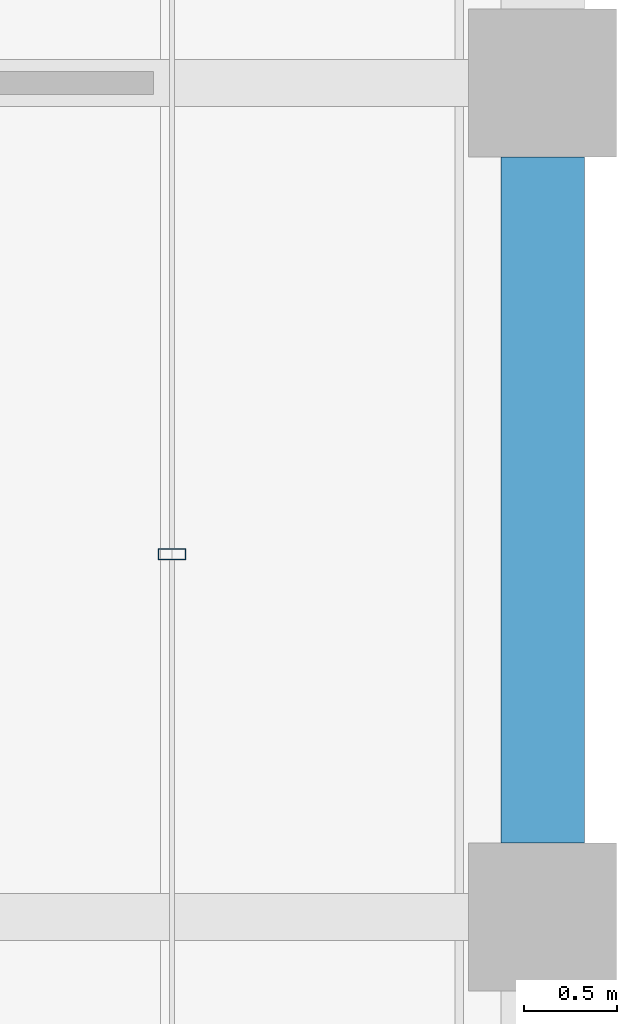
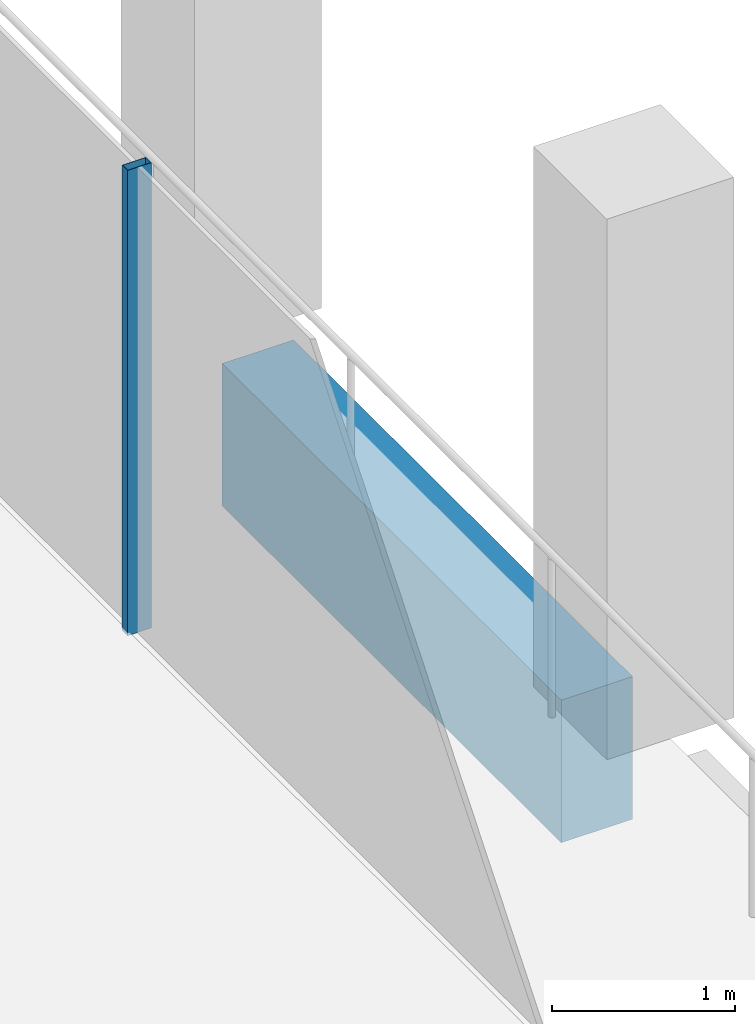
# One storey, part 17 of 30: 1 beam, 1 member, 1 element without a shape of its own.
"""IFC4 building model written with IfcOpenShell, lengths in metres."""

from ifc_helpers import new_model, si_unit, direction, frame, origin, origin_2d, place, context, subcontext, project, spatial, rectangle, hollow_rectangle, extrude, material, material_profile, profile_set, type_object, element, aggregate, save


model = new_model("IFC4")

# Units and contexts
model_context = context("Model", 3, precision=1e-05, world=origin(), true_north=direction((0.0, 1.0)))
body_context = subcontext(model_context, "Body", "Model", "MODEL_VIEW")
ifc_project = project(units=[si_unit("LENGTHUNIT", "METRE"), si_unit("AREAUNIT", "SQUARE_METRE"), si_unit("VOLUMEUNIT", "CUBIC_METRE"), si_unit("PLANEANGLEUNIT", "RADIAN"), si_unit("MASSUNIT", "GRAM", prefix="KILO")], contexts=[model_context])

# Site, building, storey
site_placement = place(None, origin())
site = spatial("IfcSite", under=ifc_project, at=site_placement, CompositionType="ELEMENT")
building_placement = place(site_placement, origin())
building = spatial("IfcBuilding", under=site, at=building_placement, Name="Altepetl Exchange Towers", CompositionType="ELEMENT")
storey_placement = place(building_placement, frame((0.0, 0.0, 231.60009765625)))
storey = spatial("IfcBuildingStorey", under=building, at=storey_placement, Name="L59", CompositionType="ELEMENT", Elevation=231.60009765625)

# Curtain wall, member
ifc_material_1 = material(Name="Aluminium 6063-T6 glazing", Category="aluminium")
curtain_wall_type = type_object("IfcCurtainWallType", Name="Loggia glazing system", PredefinedType="NOTDEFINED", material=ifc_material_1)
curtain_wall_placement = place(storey_placement, origin())
curtain_wall = element("IfcCurtainWall", 1, at=curtain_wall_placement, inside=storey, type_object=curtain_wall_type, Name="CW1 run", PredefinedType="NOTDEFINED")
ifc_material_2 = material(Name="Aluminium 6063-T6", Category="aluminium")
ifc_material_profile_1 = material_profile(ifc_material_2, hollow_rectangle(XDim=0.06005859375, YDim=0.14990234375, WallThickness=0.0029296875, at=origin_2d()), Name="Mullion 60x150 aluminium")
ifc_profile_set_1 = profile_set([ifc_material_profile_1], Name="Aluminium 6063-T6")
member_type = type_object("IfcMemberType", Name="Mullion 60x150 aluminium", PredefinedType="MULLION", material=ifc_profile_set_1)
member_placement = place(storey_placement, frame((70.0, 46.9580078125, 0.0), z_axis=(0.0, 0.0, 1.0), x_axis=(0.0, 1.0, 0.0)))
member = element("IfcMember", 2, at=member_placement, type_object=member_type, Name="MU1 mullion", PredefinedType="MULLION", context=body_context, shape_type="SweptSolid", body=[
    extrude(hollow_rectangle(XDim=0.06005859375, YDim=0.14990234375, WallThickness=0.0029296875, at=origin_2d()), origin(), (0.0, 0.0, 1.0), 3.099853515625),
])
aggregate(curtain_wall, [member])

# Beam
ifc_material_3 = material(Name="Concrete C50/60 precast with cantera amarilla facing", Category="concrete")
ifc_material_profile_2 = material_profile(ifc_material_3, rectangle(XDim=0.449951171875, YDim=0.949951171875, at=origin_2d()), Name="450 x 950")
ifc_profile_set_2 = profile_set([ifc_material_profile_2], Name="Concrete C50/60 precast with cantera amarilla facing")
beam_type = type_object("IfcBeamType", Name="Spandrel beam 450x950 cantera amarilla", PredefinedType="SPANDREL", material=ifc_profile_set_2)
beam_placement = place(storey_placement, frame((72.0, 45.39990234375, -0.625), z_axis=(0.0, 1.0, 0.0), x_axis=(-1.0, 0.0, 0.0)))
element("IfcBeam", 3, at=beam_placement, inside=storey, type_object=beam_type, Name="sp:A:L59:015", PredefinedType="SPANDREL", context=body_context, shape_type="SweptSolid", body=[
    extrude(rectangle(XDim=0.449951171875, YDim=0.949951171875, at=origin_2d()), origin(), (0.0, 0.0, 1.0), 3.7001953125),
])

save(model, "model.ifc")
